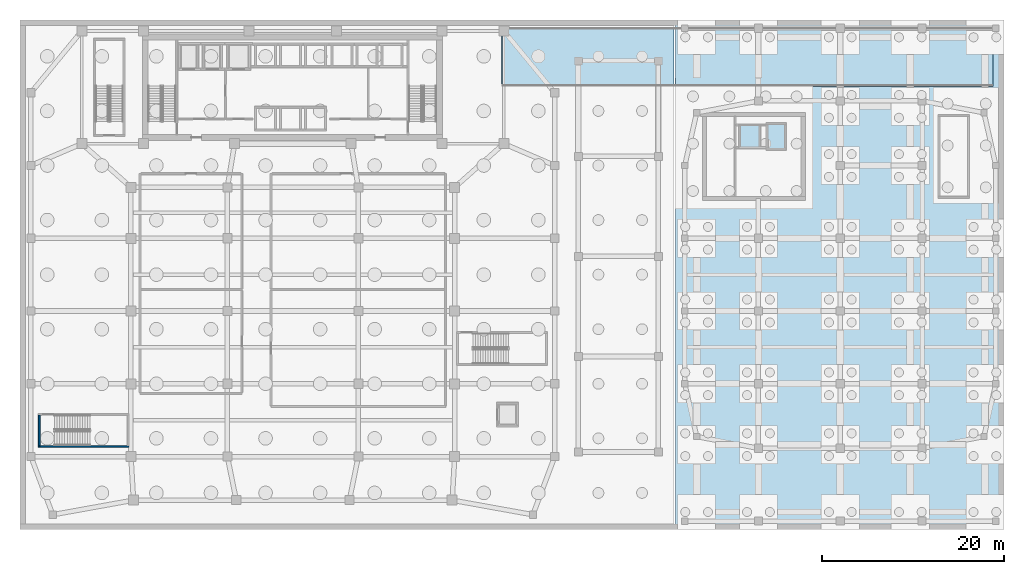
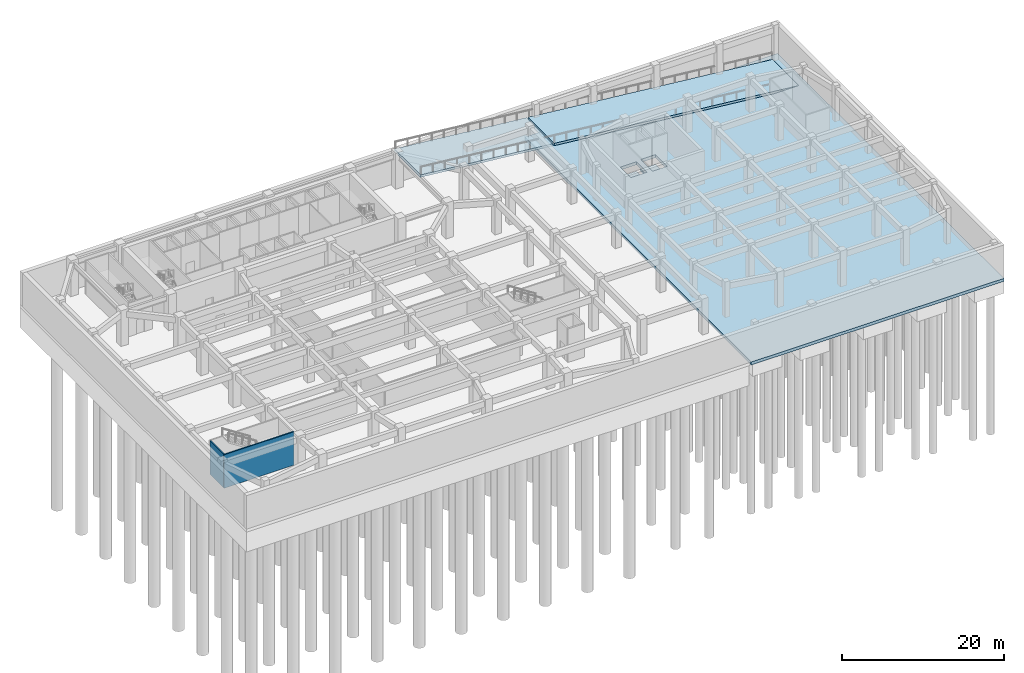
# One storey, part 6 of 18: 5 slabs, 2 walls.
"""IFC4 building model written with IfcOpenShell, lengths in metres."""

import ifcopenshell
import ifcopenshell.guid

model = None  # the IFC model being written
_history = None  # IfcOwnerHistory: only IFC2X3 demands one
_inside = {}  # id of a spatial element -> (the spatial element, [elements in it])
_under = {}  # id of a project, library or spatial element -> (it, [spatial elements below it])
_declared = {}  # id of a project -> (the project, [libraries it declares])
_typed = {}  # id of a type object -> (the type object, [elements of that type])
_made_of = {}  # id of a material, layer set ... -> (it, [elements and type objects made of it])


def new_model(schema):
    """Start an empty IFC model of exactly this schema.

    Asked for "IFC4X3", IfcOpenShell would pick the latest addendum, in which some entities
    have other attributes; the version numbers below select the first issue.
    IFC2X3 requires an IfcOwnerHistory on every rooted entity: one is made here for all.
    """
    global model, _history
    if schema == "IFC4X3":
        model = ifcopenshell.file(schema_version=(4, 3, 0, 0))
    else:
        model = ifcopenshell.file(schema=schema)
    _inside.clear()
    _under.clear()
    _declared.clear()
    _typed.clear()
    _made_of.clear()
    _history = None
    if model.schema == "IFC2X3":
        org = make("IfcOrganization", Name="unknown")
        user = make(
            "IfcPersonAndOrganization",
            ThePerson=make("IfcPerson", FamilyName="unknown"),
            TheOrganization=org,
        )
        app = make(
            "IfcApplication",
            ApplicationDeveloper=org,
            Version="unknown",
            ApplicationFullName="unknown",
            ApplicationIdentifier="unknown",
        )
        _history = make(
            "IfcOwnerHistory",
            OwningUser=user,
            OwningApplication=app,
            ChangeAction="ADDED",
            CreationDate=0,
        )
    return model


def make(cls, **values):
    """One entity of the class cls with the attributes given. An attribute that is None is left unset."""
    return model.create_entity(
        cls, **{name: value for name, value in values.items() if value is not None}
    )


def rooted(cls, **values):
    """An entity with a GlobalId (a new one), such as an element, a storey or a relation."""
    return make(cls, GlobalId=ifcopenshell.guid.new(), OwnerHistory=_history, **values)


def si_unit(unit_type, name, prefix=None):
    """IfcSIUnit, for example si_unit("LENGTHUNIT", "METRE", prefix="MILLI")."""
    return make("IfcSIUnit", UnitType=unit_type, Prefix=prefix, Name=name)


def assignment(units):
    """IfcUnitAssignment: the units of a project."""
    return None if units is None else make("IfcUnitAssignment", Units=units)


def point(xyz):
    """IfcCartesianPoint."""
    return None if xyz is None else make("IfcCartesianPoint", Coordinates=xyz)


def direction(xyz):
    """IfcDirection."""
    return None if xyz is None else make("IfcDirection", DirectionRatios=xyz)


def frame(location, z_axis=None, x_axis=None):
    """IfcAxis2Placement3D, a coordinate frame: its origin and axes. An axis left out is left unset."""
    return make(
        "IfcAxis2Placement3D",
        Location=point(location),
        Axis=direction(z_axis),
        RefDirection=direction(x_axis),
    )


def frame_2d(location, x_axis=None):
    """IfcAxis2Placement2D, a coordinate frame in the plane: its origin and x axis."""
    return make(
        "IfcAxis2Placement2D", Location=point(location), RefDirection=direction(x_axis)
    )


def origin():
    """The frame at (0, 0, 0) with its axes left unset."""
    return frame((0.0, 0.0, 0.0))


def place(relative_to, where):
    """IfcLocalPlacement: puts the frame where relative to a parent placement (None: the world)."""
    return make(
        "IfcLocalPlacement", PlacementRelTo=relative_to, RelativePlacement=where
    )


def context(
    kind, dimensions, precision=None, world=None, true_north=None, identifier=None
):
    """IfcGeometricRepresentationContext, for example the 3D "Model" context."""
    return make(
        "IfcGeometricRepresentationContext",
        ContextIdentifier=identifier,
        ContextType=kind,
        CoordinateSpaceDimension=dimensions,
        Precision=precision,
        WorldCoordinateSystem=world,
        TrueNorth=true_north,
    )


def subcontext(parent, identifier, kind, view, scale=None):
    """IfcGeometricRepresentationSubContext, for example "Body" below "Model"."""
    return make(
        "IfcGeometricRepresentationSubContext",
        ContextIdentifier=identifier,
        ContextType=kind,
        ParentContext=parent,
        TargetScale=scale,
        TargetView=view,
    )


def project(units=None, contexts=None):
    """IfcProject with its units and contexts."""
    return rooted(
        "IfcProject",
        Name="project",
        RepresentationContexts=contexts,
        UnitsInContext=assignment(units),
    )


def spatial(cls, under=None, at=None, **own):
    """A site, building, storey or space (cls), placed at a placement, below another one or the project."""
    s = rooted(cls, ObjectPlacement=at, **own)
    if under is not None:
        _under.setdefault(under.id(), (under, []))[1].append(s)
    return s


def polyline(points):
    """IfcPolyline through the points."""
    return make("IfcPolyline", Points=[point(p) for p in points])


def profile(cls, at=None, kind="AREA", **sizes):
    """A parametric profile (cls). Its sizes go by their IFC names, for example OverallWidth=200.0."""
    return make(cls, ProfileType=kind, Position=at, **sizes)


def rectangle(**sizes):
    """IfcRectangleProfileDef."""
    return profile("IfcRectangleProfileDef", **sizes)


def outline(outer, holes=None, kind="AREA"):
    """IfcArbitraryClosedProfileDef: a profile drawn as a closed curve; with holes, ...WithVoids."""
    if holes is None:
        return make("IfcArbitraryClosedProfileDef", ProfileType=kind, OuterCurve=outer)
    return make(
        "IfcArbitraryProfileDefWithVoids",
        ProfileType=kind,
        OuterCurve=outer,
        InnerCurves=holes,
    )


def extrude(swept, where, along, depth):
    """IfcExtrudedAreaSolid: the profile swept, set in the frame where, extruded along a direction by depth."""
    return make(
        "IfcExtrudedAreaSolid",
        SweptArea=swept,
        Position=where,
        ExtrudedDirection=direction(along),
        Depth=depth,
    )


def shape(context_of_items, identifier, shape_type, items):
    """IfcShapeRepresentation: the items that make up one representation, for example the "Body"."""
    return make(
        "IfcShapeRepresentation",
        ContextOfItems=context_of_items,
        RepresentationIdentifier=identifier,
        RepresentationType=shape_type,
        Items=items,
    )


def material(Name=None, Category=None):
    """IfcMaterial."""
    return make("IfcMaterial", Name=Name, Category=Category)


def layer(
    of_material, thickness, ventilated=None, Name=None, Category=None, Priority=None
):
    """IfcMaterialLayer: one layer of a wall or slab, of a material (None: an air gap)."""
    return make(
        "IfcMaterialLayer",
        Material=of_material,
        LayerThickness=thickness,
        IsVentilated=ventilated,
        Name=Name,
        Category=Category,
        Priority=Priority,
    )


def layer_set(layers, Name=None):
    """IfcMaterialLayerSet."""
    return make("IfcMaterialLayerSet", MaterialLayers=layers, LayerSetName=Name)


def made_of(thing, what):
    """Note that an element or type object is made of a material, layer set ...; save() writes the relation."""
    if what is not None:
        _made_of.setdefault(what.id(), (what, []))[1].append(thing)
    return thing


def type_object(cls, material=None, **own):
    """A type object (cls), such as IfcWallType, which elements share."""
    return made_of(rooted(cls, **own), material)


def element(
    cls,
    number,
    at=None,
    inside=None,
    cuts=None,
    type_object=None,
    material=None,
    context=None,
    identifier="Body",
    shape_type=None,
    held_by="IfcProductDefinitionShape",
    body=None,
    shapes=None,
    **own,
):
    """One element of the class cls, such as IfcWall. Its Tag is "e" and its number.

    at: its placement. inside: the storey or other place that contains it. cuts: it is an
    opening in that element (IfcRelVoidsElement). A single representation is given by context,
    identifier, shape_type and body (its items); several are given by shapes. held_by: the class
    of the entity that holds the representations. save() writes the other relations.
    """
    e = rooted(cls, Tag="e%d" % number, ObjectPlacement=at, **own)
    if body is not None:
        shapes = [shape(context, identifier, shape_type, body)]
    if shapes is not None:
        e.Representation = make(held_by, Representations=shapes)
    if inside is not None:
        _inside.setdefault(inside.id(), (inside, []))[1].append(e)
    if cuts is not None:
        rooted(
            "IfcRelVoidsElement", RelatingBuildingElement=cuts, RelatedOpeningElement=e
        )
    if type_object is not None:
        _typed.setdefault(type_object.id(), (type_object, []))[1].append(e)
    return made_of(e, material)


def aggregate(whole, parts):
    """IfcRelAggregates: a whole, such as a stair, and the parts it consists of."""
    return rooted("IfcRelAggregates", RelatingObject=whole, RelatedObjects=parts)


def save(model, path):
    """Write the relations noted so far, then the file.

    IfcRelAggregates (storeys below a building ...), IfcRelContainedInSpatialStructure (elements
    in a storey), IfcRelDefinesByType, IfcRelAssociatesMaterial and IfcRelDeclares: one each for
    every whole, place, type object, material and project.
    """
    for whole, parts in _under.values():
        aggregate(whole, parts)
    for where, things in _inside.values():
        rooted(
            "IfcRelContainedInSpatialStructure",
            RelatedElements=things,
            RelatingStructure=where,
        )
    for kind, things in _typed.values():
        rooted("IfcRelDefinesByType", RelatedObjects=things, RelatingType=kind)
    for what, things in _made_of.values():
        rooted("IfcRelAssociatesMaterial", RelatedObjects=things, RelatingMaterial=what)
    for by, libraries in _declared.values():
        rooted("IfcRelDeclares", RelatingContext=by, RelatedDefinitions=libraries)
    model.write(path)


model = new_model("IFC4")

# Units and contexts
model_context = context("Model", 3, precision=1e-05, world=origin(), true_north=direction((0.0, 1.0)))
body_context = subcontext(model_context, "Body", "Model", "MODEL_VIEW")
ifc_project = project(units=[si_unit("LENGTHUNIT", "METRE"), si_unit("AREAUNIT", "SQUARE_METRE"), si_unit("VOLUMEUNIT", "CUBIC_METRE"), si_unit("PLANEANGLEUNIT", "RADIAN"), si_unit("MASSUNIT", "GRAM", prefix="KILO")], contexts=[model_context])

# Site, building, storey
site_placement = place(None, origin())
site = spatial("IfcSite", under=ifc_project, at=site_placement, CompositionType="ELEMENT")
building_placement = place(site_placement, origin())
building = spatial("IfcBuilding", under=site, at=building_placement, Name="Saevonmaru Cultural Tower", CompositionType="ELEMENT")
storey_placement = place(building_placement, frame((0.0, 0.0, -10.800048828125)))
storey = spatial("IfcBuildingStorey", under=building, at=storey_placement, Name="B2", CompositionType="ELEMENT", Elevation=-10.800048828125)

# Slabs
ifc_material_1 = material(Name="Concrete C50/60", Category="concrete")
ifc_layer_1 = layer(ifc_material_1, 0.449951171875, Name="Concrete C50/60")
ifc_layer_set_1 = layer_set([ifc_layer_1], Name="Concrete C50/60")
slab_type_1 = type_object("IfcSlabType", Name="SL-BASE-450", PredefinedType="BASESLAB", material=ifc_layer_set_1)
slab_1_placement = place(storey_placement, frame((0.0, 0.0, -0.449951171875)))
element("IfcSlab", 1, at=slab_1_placement, inside=storey, type_object=slab_type_1, Name="B2 East Car Park Base Slab", PredefinedType="BASESLAB", context=body_context, shape_type="SweptSolid", body=[
    extrude(outline(polyline([(72.10009765625, 0.0), (108.199951171875, 0.0), (108.199951171875, 56.0), (72.10009765625, 56.0), (72.10009765625, 0.0)]), holes=[polyline([(107.0, 55.199951171875), (107.0, 48.699951171875), (103.39990234375, 48.699951171875), (103.39990234375, 55.199951171875), (107.0, 55.199951171875)]), polyline([(84.199951171875, 44.64990234375), (84.199951171875, 41.75), (82.10009765625, 41.75), (82.10009765625, 44.64990234375), (84.199951171875, 44.64990234375)]), polyline([(79.10009765625, 44.5), (81.39990234375, 44.5), (81.39990234375, 41.89990234375), (79.10009765625, 41.89990234375), (79.10009765625, 44.5)])]), origin(), (0.0, 0.0, 1.0), 0.449951171875),
])
ifc_material_2 = material(Name="Concrete C40/50", Category="concrete")
ifc_layer_2 = layer(ifc_material_2, 0.219970703125, Name="Concrete C40/50")
ifc_layer_set_2 = layer_set([ifc_layer_2], Name="Concrete C40/50")
slab_type_2 = type_object("IfcSlabType", Name="SL-SHAFT-220", PredefinedType="FLOOR", material=ifc_layer_set_2)
slab_2_placement = place(storey_placement, frame((0.0, 0.0, -1.699951171875)))
element("IfcSlab", 2, at=slab_2_placement, inside=storey, type_object=slab_type_2, Name="Lift LLF-1 Shaft Pit Base Slab", PredefinedType="FLOOR", context=body_context, shape_type="SweptSolid", body=[
    extrude(outline(polyline([(79.050048828125, 41.85009765625), (81.449951171875, 41.85009765625), (81.449951171875, 44.550048828125), (79.050048828125, 44.550048828125), (79.050048828125, 41.85009765625)])), origin(), (0.0, 0.0, 1.0), 0.219970703125),
])
slab_3_placement = place(storey_placement, frame((0.0, 0.0, -1.699951171875)))
element("IfcSlab", 3, at=slab_3_placement, inside=storey, type_object=slab_type_2, Name="Lift LLF-2 Shaft Pit Base Slab", PredefinedType="FLOOR", context=body_context, shape_type="SweptSolid", body=[
    extrude(outline(polyline([(82.050048828125, 41.699951171875), (84.25, 41.699951171875), (84.25, 44.699951171875), (82.050048828125, 44.699951171875), (82.050048828125, 41.699951171875)])), origin(), (0.0, 0.0, 1.0), 0.219970703125),
])
ifc_layer_3 = layer(ifc_material_1, 0.35009765625, Name="Concrete C50/60")
ifc_layer_set_3 = layer_set([ifc_layer_3], Name="Concrete C50/60")
slab_type_3 = type_object("IfcSlabType", Name="SL-VRAMP-350", PredefinedType="FLOOR", material=ifc_layer_set_3)
slab_4_placement = place(storey_placement, frame((107.0, 48.699951171875, 0.0), z_axis=(0.099503719021, 0.0, 0.99503719021), x_axis=(-0.99503719021, 0.0, 0.099503719021)))
element("IfcSlab", 4, at=slab_4_placement, inside=storey, type_object=slab_type_3, Name="B2 Car Park Structural Vehicle Ramp Slab VR-2 East", PredefinedType="FLOOR", context=body_context, shape_type="SweptSolid", body=[
    extrude(outline(polyline([(0.0, 0.0), (35.07396777439529, 0.0), (35.07396777439529, -6.5), (0.0, -6.5), (0.0, 0.0)])), origin(), (0.0, 0.0, -1.0), 0.35009765625),
])
slab_5_placement = place(storey_placement, frame((71.89990234375, 48.699951171875, 3.510009765625), z_axis=(0.099511354727, 0.0, 0.99503642661), x_axis=(-0.99503642661, 0.0, 0.099511354727)))
element("IfcSlab", 5, at=slab_5_placement, inside=storey, type_object=slab_type_3, Name="B2 Car Park Structural Vehicle Ramp Slab VR-2 West", PredefinedType="FLOOR", context=body_context, shape_type="SweptSolid", body=[
    extrude(outline(polyline([(0.0, 0.0), (18.99418135690122, 0.0), (18.99418135690122, -6.5), (0.0, -6.5), (0.0, 0.0)])), origin(), (0.0, 0.0, -1.0), 0.35009765625),
])

# Walls
ifc_layer_4 = layer(ifc_material_2, 0.179931640625, Name="Concrete C40/50")
ifc_layer_set_4 = layer_set([ifc_layer_4], Name="Concrete C40/50")
wall_type = type_object("IfcWallType", Name="WL-STSHAFT-180", PredefinedType="SHEAR", material=ifc_layer_set_4)
wall_1_placement = place(storey_placement, frame((11.97998046875, 9.110107421875, 0.0), z_axis=(0.0, 0.0, 1.0), x_axis=(-1.0, 0.0, 0.0)))
element("IfcWall", 6, at=wall_1_placement, inside=storey, type_object=wall_type, Name="B2 Stair SST-1 Structural Shaft Wall 3", PredefinedType="SHEAR", context=body_context, shape_type="SweptSolid", body=[
    extrude(rectangle(XDim=9.9599609375, YDim=0.179931640625, at=frame_2d((4.97998046875, 0.0))), origin(), (0.0, 0.0, 1.0), 5.050048828125),
])
wall_2_placement = place(storey_placement, frame((2.110107421875, 9.199951171875, 0.0), z_axis=(0.0, 0.0, 1.0), x_axis=(0.0, 1.0, 0.0)))
element("IfcWall", 7, at=wall_2_placement, inside=storey, type_object=wall_type, Name="B2 Stair SST-1 Structural Shaft Wall 4", PredefinedType="SHEAR", context=body_context, shape_type="SweptSolid", body=[
    extrude(rectangle(XDim=3.35009765625, YDim=0.179931640625, at=frame_2d((1.675048828125, 0.0))), origin(), (0.0, 0.0, 1.0), 5.050048828125),
])

save(model, "model.ifc")
